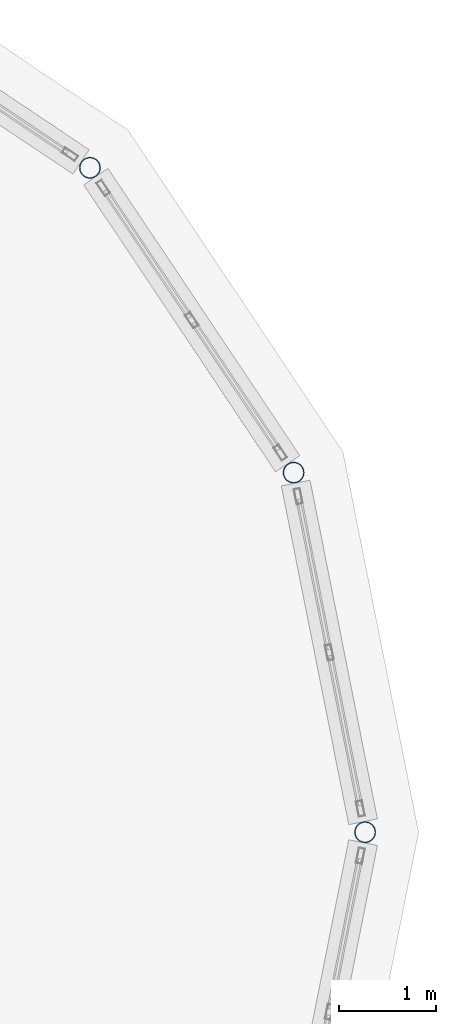
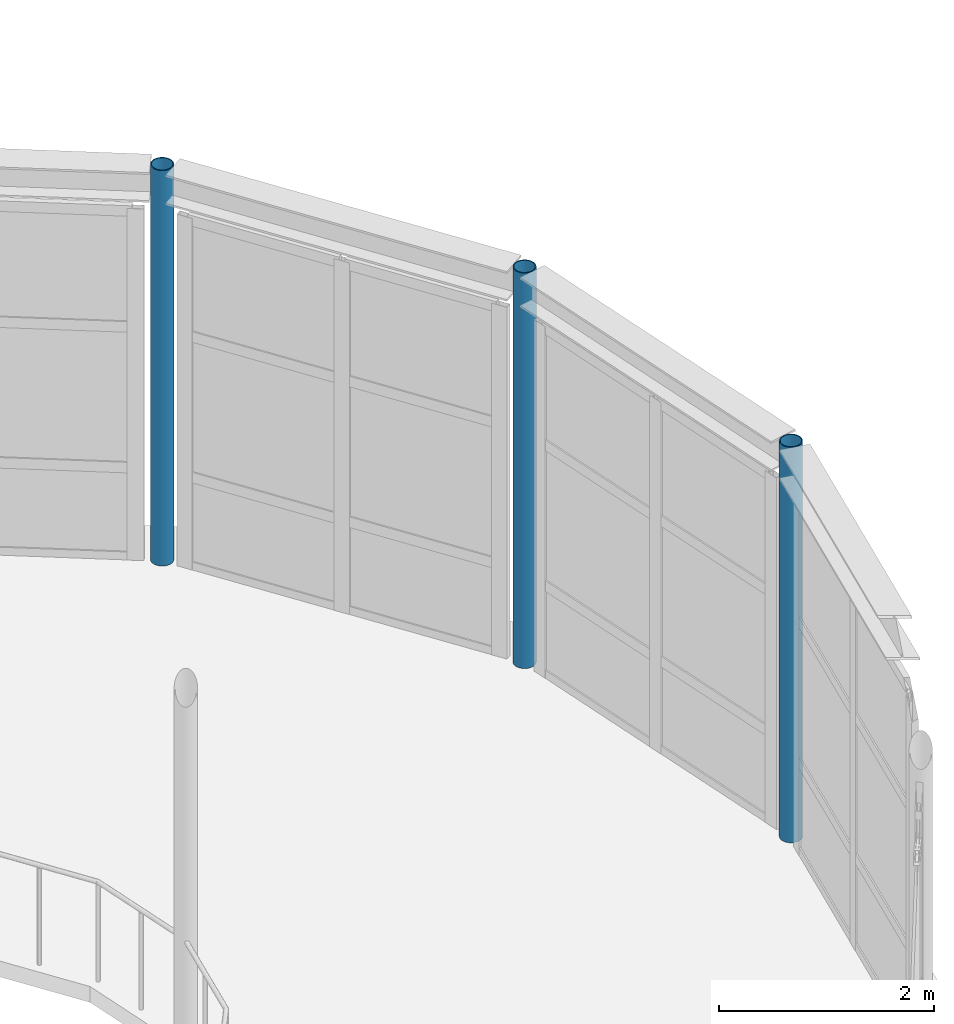
# One storey, part 8 of 80: 3 columns.
"""IFC4 building model written with IfcOpenShell, lengths in metres."""

from ifc_helpers import new_model, si_unit, direction, frame, origin, origin_2d, place, context, subcontext, project, spatial, hollow_circle, extrude, material, material_profile, profile_set, type_object, element, save


model = new_model("IFC4")

# Units and contexts
model_context = context("Model", 3, precision=1e-05, world=origin(), true_north=direction((0.0, 1.0)))
body_context = subcontext(model_context, "Body", "Model", "MODEL_VIEW")
ifc_project = project(units=[si_unit("LENGTHUNIT", "METRE"), si_unit("AREAUNIT", "SQUARE_METRE"), si_unit("VOLUMEUNIT", "CUBIC_METRE"), si_unit("PLANEANGLEUNIT", "RADIAN"), si_unit("MASSUNIT", "GRAM", prefix="KILO")], contexts=[model_context])

# Site, building, storey
site_placement = place(None, origin())
site = spatial("IfcSite", under=ifc_project, at=site_placement, CompositionType="ELEMENT")
building_placement = place(site_placement, origin())
building = spatial("IfcBuilding", under=site, at=building_placement, Name="Kharisveld Research Institute", CompositionType="ELEMENT")
storey_placement = place(building_placement, frame((0.0, 0.0, 5.10009765625)))
storey = spatial("IfcBuildingStorey", under=building, at=storey_placement, Name="L01", CompositionType="ELEMENT", Elevation=5.10009765625)

# Columns
ifc_material = material(Name="Steel S355J2H", Category="steel")
ifc_material_profile = material_profile(ifc_material, hollow_circle(Radius=0.109619140625, WallThickness=0.010009765625, at=origin_2d()))
ifc_profile_set = profile_set([ifc_material_profile], Name="Steel S355J2H")
column_type = type_object("IfcColumnType", Name="COL_ST_CHS219", PredefinedType="COLUMN", material=ifc_profile_set)
for number, where, z_axis, x_axis, name in (
    (1, (69.14990234375, 50.800048828125, 0.0), (0.0, 0.0, 1.0), (1.0, 0.0, 0.0), "COL:V6:L01:R00"),
    (2, (68.41552734375, 54.492919921875, 0.0), (0.0, 0.0, 1.0), (1.0, 0.0, 0.0), "COL:V6:L01:R01"),
    (3, (66.323486328125, 57.62353515625, 0.0), (0.0, 0.0, 1.0), (1.0, 0.0, 0.0), "COL:V6:L01:R02"),
):
    element("IfcColumn", number, at=place(storey_placement, frame(where, z_axis=z_axis, x_axis=x_axis)), inside=storey, type_object=column_type, Name=name, PredefinedType="COLUMN", context=body_context, shape_type="SweptSolid", body=[
        extrude(hollow_circle(Radius=0.109619140625, WallThickness=0.010009765625, at=origin_2d()), origin(), (0.0, 0.0, 1.0), 4.5),
    ])

save(model, "model.ifc")
